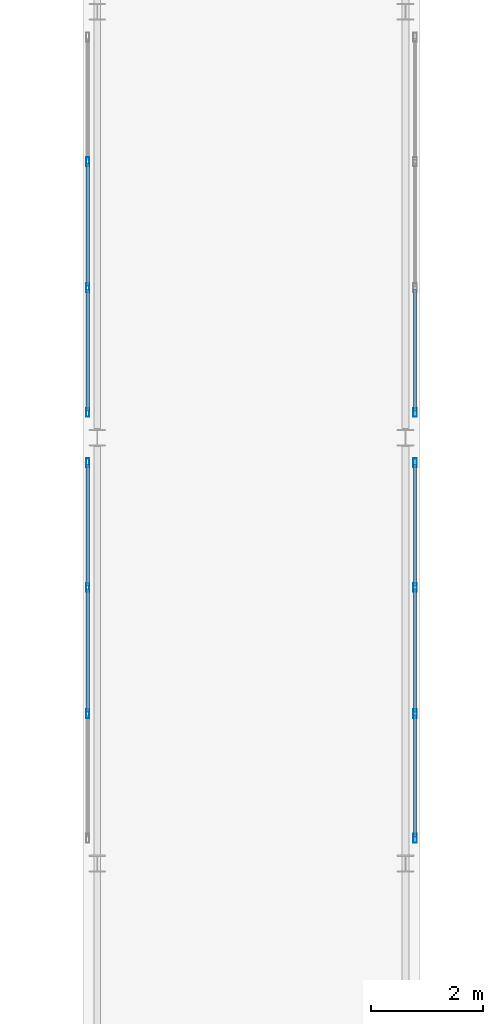
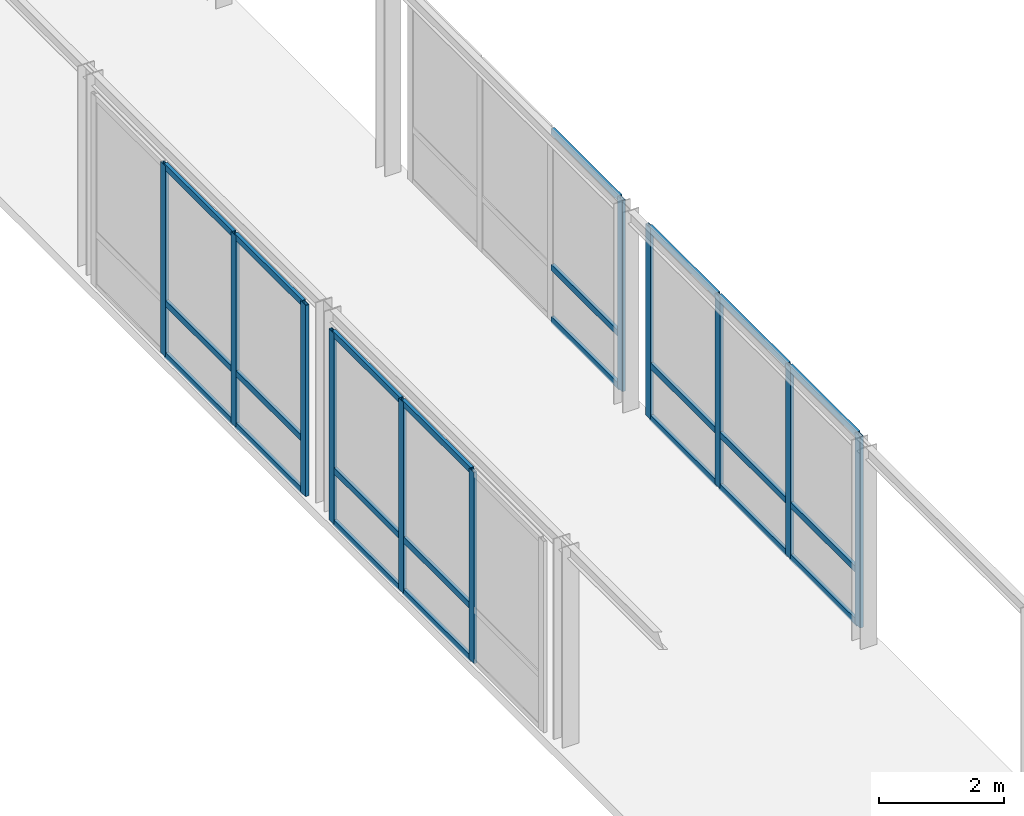
# One storey, part 127 of 189: 35 members, 4 elements without a shape of their own.
"""IFC4 building model written with IfcOpenShell, lengths in metres."""

from ifc_helpers import new_model, si_unit, direction, frame, origin, origin_2d, place, context, subcontext, project, spatial, hollow_rectangle, extrude, material, layer, layer_set, material_profile, profile_set, type_object, element, aggregate, save


model = new_model("IFC4")

# Units and contexts
model_context = context("Model", 3, precision=1e-05, world=origin(), true_north=direction((0.0, 1.0)))
body_context = subcontext(model_context, "Body", "Model", "MODEL_VIEW")
ifc_project = project(units=[si_unit("LENGTHUNIT", "METRE"), si_unit("AREAUNIT", "SQUARE_METRE"), si_unit("VOLUMEUNIT", "CUBIC_METRE"), si_unit("PLANEANGLEUNIT", "RADIAN"), si_unit("MASSUNIT", "GRAM", prefix="KILO")], contexts=[model_context])

# Site, building, storey
site_placement = place(None, origin())
site = spatial("IfcSite", under=ifc_project, at=site_placement, CompositionType="ELEMENT")
building_placement = place(site_placement, origin())
building = spatial("IfcBuilding", under=site, at=building_placement, Name="Montecoro Central Library", CompositionType="ELEMENT")
storey_placement = place(building_placement, frame((0.0, 0.0, 9.179931640625)))
storey = spatial("IfcBuildingStorey", under=building, at=storey_placement, Name="L02", CompositionType="ELEMENT", Elevation=9.179931640625)

# Curtain wall, members
ifc_material_1 = material(Name="Bronze-anodised aluminium and low-E glazing", Category="aluminium")
ifc_layer_1 = layer(ifc_material_1, 0.159912109375)
ifc_layer_set_1 = layer_set([ifc_layer_1], Name="Bronze-anodised aluminium and low-E glazing")
curtain_wall_type_1 = type_object("IfcCurtainWallType", Name="CWT-085", PredefinedType="NOTDEFINED", material=ifc_layer_set_1)
curtain_wall_1_placement = place(storey_placement, origin())
curtain_wall_1 = element("IfcCurtainWall", 1, at=curtain_wall_1_placement, inside=storey, type_object=curtain_wall_type_1, Name="BR-E-L02-CW-W1", PredefinedType="NOTDEFINED")
ifc_material_2 = material(Name="Bronze-anodised aluminium", Category="aluminium")
ifc_material_profile_1 = material_profile(ifc_material_2, hollow_rectangle(XDim=0.06005859375, YDim=0.159912109375, WallThickness=0.00390625, at=origin_2d()), Name="CWM 160x60x4.0")
ifc_profile_set_1 = profile_set([ifc_material_profile_1], Name="Bronze-anodised aluminium")
member_type_1 = type_object("IfcMemberType", Name="CWM-BRZ-60", PredefinedType="MULLION", material=ifc_profile_set_1)
member_1_placement = place(storey_placement, frame((154.080078125, 53.2734375, 0.0), z_axis=(0.0, 0.0, 1.0), x_axis=(-1.0, 0.0, 0.0)))
member_1 = element("IfcMember", 2, at=member_1_placement, type_object=member_type_1, Name="CW-085 mullion 2", PredefinedType="MULLION", context=body_context, shape_type="SweptSolid", body=[
    extrude(hollow_rectangle(XDim=0.06005859375, YDim=0.159912109375, WallThickness=0.00390625, at=origin_2d()), origin(), (0.0, 0.0, 1.0), 3.72998046875),
])
member_2_placement = place(storey_placement, frame((154.080078125, 55.526611328125, 0.0), z_axis=(0.0, 0.0, 1.0), x_axis=(-1.0, 0.0, 0.0)))
member_2 = element("IfcMember", 3, at=member_2_placement, type_object=member_type_1, Name="CW-085 mullion 3", PredefinedType="MULLION", context=body_context, shape_type="SweptSolid", body=[
    extrude(hollow_rectangle(XDim=0.06005859375, YDim=0.159912109375, WallThickness=0.00390625, at=origin_2d()), origin(), (0.0, 0.0, 1.0), 3.72998046875),
])
member_3_placement = place(storey_placement, frame((154.080078125, 57.75, 0.0), z_axis=(0.0, 0.0, 1.0), x_axis=(-1.0, 0.0, 0.0)))
member_3 = element("IfcMember", 4, at=member_3_placement, type_object=member_type_1, Name="CW-085 mullion 4", PredefinedType="MULLION", context=body_context, shape_type="SweptSolid", body=[
    extrude(hollow_rectangle(XDim=0.06005859375, YDim=0.159912109375, WallThickness=0.00390625, at=origin_2d()), origin(), (0.0, 0.0, 1.0), 3.72998046875),
])

ifc_layer_2 = layer(ifc_material_1, 0.159912109375)
ifc_layer_set_2 = layer_set([ifc_layer_2], Name="Bronze-anodised aluminium and low-E glazing")
curtain_wall_type_2 = type_object("IfcCurtainWallType", Name="CWT-086", PredefinedType="NOTDEFINED", material=ifc_layer_set_2)
curtain_wall_2_placement = place(storey_placement, origin())
curtain_wall_2 = element("IfcCurtainWall", 5, at=curtain_wall_2_placement, inside=storey, type_object=curtain_wall_type_2, Name="BR-E-L02-CW-W2", PredefinedType="NOTDEFINED")
member_4_placement = place(storey_placement, frame((154.080078125, 58.64990234375, 0.0), z_axis=(0.0, 0.0, 1.0), x_axis=(-1.0, 0.0, 0.0)))
member_4 = element("IfcMember", 6, at=member_4_placement, type_object=member_type_1, Name="CW-086 mullion 1", PredefinedType="MULLION", context=body_context, shape_type="SweptSolid", body=[
    extrude(hollow_rectangle(XDim=0.06005859375, YDim=0.159912109375, WallThickness=0.00390625, at=origin_2d()), origin(), (0.0, 0.0, 1.0), 3.72998046875),
])
member_5_placement = place(storey_placement, frame((154.080078125, 60.873291015625, 0.0), z_axis=(0.0, 0.0, 1.0), x_axis=(-1.0, 0.0, 0.0)))
member_5 = element("IfcMember", 7, at=member_5_placement, type_object=member_type_1, Name="CW-086 mullion 2", PredefinedType="MULLION", context=body_context, shape_type="SweptSolid", body=[
    extrude(hollow_rectangle(XDim=0.06005859375, YDim=0.159912109375, WallThickness=0.00390625, at=origin_2d()), origin(), (0.0, 0.0, 1.0), 3.72998046875),
])
member_6_placement = place(storey_placement, frame((154.080078125, 63.126708984375, 0.0), z_axis=(0.0, 0.0, 1.0), x_axis=(-1.0, 0.0, 0.0)))
member_6 = element("IfcMember", 8, at=member_6_placement, type_object=member_type_1, Name="CW-086 mullion 3", PredefinedType="MULLION", context=body_context, shape_type="SweptSolid", body=[
    extrude(hollow_rectangle(XDim=0.06005859375, YDim=0.159912109375, WallThickness=0.00390625, at=origin_2d()), origin(), (0.0, 0.0, 1.0), 3.72998046875),
])

curtain_wall_3_placement = place(storey_placement, origin())
curtain_wall_3 = element("IfcCurtainWall", 9, at=curtain_wall_3_placement, inside=storey, type_object=curtain_wall_type_1, Name="BR-E-L02-CW-E1", PredefinedType="NOTDEFINED")
member_7_placement = place(storey_placement, frame((159.919921875, 51.050048828125, 0.0), z_axis=(0.0, 0.0, 1.0), x_axis=(-1.0, 0.0, 0.0)))
member_7 = element("IfcMember", 10, at=member_7_placement, type_object=member_type_1, Name="CW-085 mullion 1", PredefinedType="MULLION", context=body_context, shape_type="SweptSolid", body=[
    extrude(hollow_rectangle(XDim=0.06005859375, YDim=0.159912109375, WallThickness=0.00390625, at=origin_2d()), origin(), (0.0, 0.0, 1.0), 3.72998046875),
])
member_8_placement = place(storey_placement, frame((159.919921875, 53.2734375, 0.0), z_axis=(0.0, 0.0, 1.0), x_axis=(-1.0, 0.0, 0.0)))
member_8 = element("IfcMember", 11, at=member_8_placement, type_object=member_type_1, Name="CW-085 mullion 2", PredefinedType="MULLION", context=body_context, shape_type="SweptSolid", body=[
    extrude(hollow_rectangle(XDim=0.06005859375, YDim=0.159912109375, WallThickness=0.00390625, at=origin_2d()), origin(), (0.0, 0.0, 1.0), 3.72998046875),
])
member_9_placement = place(storey_placement, frame((159.919921875, 55.526611328125, 0.0), z_axis=(0.0, 0.0, 1.0), x_axis=(-1.0, 0.0, 0.0)))
member_9 = element("IfcMember", 12, at=member_9_placement, type_object=member_type_1, Name="CW-085 mullion 3", PredefinedType="MULLION", context=body_context, shape_type="SweptSolid", body=[
    extrude(hollow_rectangle(XDim=0.06005859375, YDim=0.159912109375, WallThickness=0.00390625, at=origin_2d()), origin(), (0.0, 0.0, 1.0), 3.72998046875),
])
member_10_placement = place(storey_placement, frame((159.919921875, 57.75, 0.0), z_axis=(0.0, 0.0, 1.0), x_axis=(-1.0, 0.0, 0.0)))
member_10 = element("IfcMember", 13, at=member_10_placement, type_object=member_type_1, Name="CW-085 mullion 4", PredefinedType="MULLION", context=body_context, shape_type="SweptSolid", body=[
    extrude(hollow_rectangle(XDim=0.06005859375, YDim=0.159912109375, WallThickness=0.00390625, at=origin_2d()), origin(), (0.0, 0.0, 1.0), 3.72998046875),
])

# Curtain wall, member
curtain_wall_4_placement = place(storey_placement, origin())
curtain_wall_4 = element("IfcCurtainWall", 14, at=curtain_wall_4_placement, inside=storey, type_object=curtain_wall_type_2, Name="BR-E-L02-CW-E2", PredefinedType="NOTDEFINED")
member_11_placement = place(storey_placement, frame((159.919921875, 58.64990234375, 0.0), z_axis=(0.0, 0.0, 1.0), x_axis=(-1.0, 0.0, 0.0)))
member_11 = element("IfcMember", 15, at=member_11_placement, type_object=member_type_1, Name="CW-086 mullion 1", PredefinedType="MULLION", context=body_context, shape_type="SweptSolid", body=[
    extrude(hollow_rectangle(XDim=0.06005859375, YDim=0.159912109375, WallThickness=0.00390625, at=origin_2d()), origin(), (0.0, 0.0, 1.0), 3.72998046875),
])

# Member
ifc_material_profile_2 = material_profile(ifc_material_2, hollow_rectangle(XDim=0.06005859375, YDim=0.1201171875, WallThickness=0.00390625, at=origin_2d()), Name="CWT 120x60x4.0")
ifc_profile_set_2 = profile_set([ifc_material_profile_2], Name="Bronze-anodised aluminium")
member_type_2 = type_object("IfcMemberType", Name="CWT-BRZ-60", PredefinedType="USERDEFINED", material=ifc_profile_set_2)
member_12_placement = place(storey_placement, frame((154.080078125, 53.30322265625, 0.030029296875), z_axis=(0.0, 1.0, 0.0), x_axis=(-1.0, 0.0, 0.0)))
member_12 = element("IfcMember", 16, at=member_12_placement, type_object=member_type_2, Name="CW-085 transom 2.1", ObjectType="TRANSOM", PredefinedType="USERDEFINED", context=body_context, shape_type="SweptSolid", body=[
    extrude(hollow_rectangle(XDim=0.06005859375, YDim=0.1201171875, WallThickness=0.00390625, at=origin_2d()), origin(), (0.0, 0.0, 1.0), 2.193359375),
])

member_13_placement = place(storey_placement, frame((154.080078125, 53.30322265625, 1.050048828125), z_axis=(0.0, 1.0, 0.0), x_axis=(-1.0, 0.0, 0.0)))
member_13 = element("IfcMember", 17, at=member_13_placement, type_object=member_type_2, Name="CW-085 transom 2.2", ObjectType="TRANSOM", PredefinedType="USERDEFINED", context=body_context, shape_type="SweptSolid", body=[
    extrude(hollow_rectangle(XDim=0.06005859375, YDim=0.1201171875, WallThickness=0.00390625, at=origin_2d()), origin(), (0.0, 0.0, 1.0), 2.193359375),
])

member_14_placement = place(storey_placement, frame((154.080078125, 53.30322265625, 3.699951171875), z_axis=(0.0, 1.0, 0.0), x_axis=(-1.0, 0.0, 0.0)))
member_14 = element("IfcMember", 18, at=member_14_placement, type_object=member_type_2, Name="CW-085 transom 2.3", ObjectType="TRANSOM", PredefinedType="USERDEFINED", context=body_context, shape_type="SweptSolid", body=[
    extrude(hollow_rectangle(XDim=0.06005859375, YDim=0.1201171875, WallThickness=0.00390625, at=origin_2d()), origin(), (0.0, 0.0, 1.0), 2.193359375),
])

member_15_placement = place(storey_placement, frame((154.080078125, 55.556640625, 0.030029296875), z_axis=(0.0, 1.0, 0.0), x_axis=(-1.0, 0.0, 0.0)))
member_15 = element("IfcMember", 19, at=member_15_placement, type_object=member_type_2, Name="CW-085 transom 3.1", ObjectType="TRANSOM", PredefinedType="USERDEFINED", context=body_context, shape_type="SweptSolid", body=[
    extrude(hollow_rectangle(XDim=0.06005859375, YDim=0.1201171875, WallThickness=0.00390625, at=origin_2d()), origin(), (0.0, 0.0, 1.0), 2.163330078125),
])

member_16_placement = place(storey_placement, frame((154.080078125, 55.556640625, 1.050048828125), z_axis=(0.0, 1.0, 0.0), x_axis=(-1.0, 0.0, 0.0)))
member_16 = element("IfcMember", 20, at=member_16_placement, type_object=member_type_2, Name="CW-085 transom 3.2", ObjectType="TRANSOM", PredefinedType="USERDEFINED", context=body_context, shape_type="SweptSolid", body=[
    extrude(hollow_rectangle(XDim=0.06005859375, YDim=0.1201171875, WallThickness=0.00390625, at=origin_2d()), origin(), (0.0, 0.0, 1.0), 2.163330078125),
])

member_17_placement = place(storey_placement, frame((154.080078125, 55.556640625, 3.699951171875), z_axis=(0.0, 1.0, 0.0), x_axis=(-1.0, 0.0, 0.0)))
member_17 = element("IfcMember", 21, at=member_17_placement, type_object=member_type_2, Name="CW-085 transom 3.3", ObjectType="TRANSOM", PredefinedType="USERDEFINED", context=body_context, shape_type="SweptSolid", body=[
    extrude(hollow_rectangle(XDim=0.06005859375, YDim=0.1201171875, WallThickness=0.00390625, at=origin_2d()), origin(), (0.0, 0.0, 1.0), 2.163330078125),
])

aggregate(curtain_wall_1, [member_1, member_2, member_3, member_12, member_13, member_14, member_15, member_16, member_17])

member_18_placement = place(storey_placement, frame((154.080078125, 58.679931640625, 0.030029296875), z_axis=(0.0, 1.0, 0.0), x_axis=(-1.0, 0.0, 0.0)))
member_18 = element("IfcMember", 22, at=member_18_placement, type_object=member_type_2, Name="CW-086 transom 1.1", ObjectType="TRANSOM", PredefinedType="USERDEFINED", context=body_context, shape_type="SweptSolid", body=[
    extrude(hollow_rectangle(XDim=0.06005859375, YDim=0.1201171875, WallThickness=0.00390625, at=origin_2d()), origin(), (0.0, 0.0, 1.0), 2.163330078125),
])

member_19_placement = place(storey_placement, frame((154.080078125, 58.679931640625, 1.050048828125), z_axis=(0.0, 1.0, 0.0), x_axis=(-1.0, 0.0, 0.0)))
member_19 = element("IfcMember", 23, at=member_19_placement, type_object=member_type_2, Name="CW-086 transom 1.2", ObjectType="TRANSOM", PredefinedType="USERDEFINED", context=body_context, shape_type="SweptSolid", body=[
    extrude(hollow_rectangle(XDim=0.06005859375, YDim=0.1201171875, WallThickness=0.00390625, at=origin_2d()), origin(), (0.0, 0.0, 1.0), 2.163330078125),
])

member_20_placement = place(storey_placement, frame((154.080078125, 58.679931640625, 3.699951171875), z_axis=(0.0, 1.0, 0.0), x_axis=(-1.0, 0.0, 0.0)))
member_20 = element("IfcMember", 24, at=member_20_placement, type_object=member_type_2, Name="CW-086 transom 1.3", ObjectType="TRANSOM", PredefinedType="USERDEFINED", context=body_context, shape_type="SweptSolid", body=[
    extrude(hollow_rectangle(XDim=0.06005859375, YDim=0.1201171875, WallThickness=0.00390625, at=origin_2d()), origin(), (0.0, 0.0, 1.0), 2.163330078125),
])

member_21_placement = place(storey_placement, frame((154.080078125, 60.9033203125, 0.030029296875), z_axis=(0.0, 1.0, 0.0), x_axis=(-1.0, 0.0, 0.0)))
member_21 = element("IfcMember", 25, at=member_21_placement, type_object=member_type_2, Name="CW-086 transom 2.1", ObjectType="TRANSOM", PredefinedType="USERDEFINED", context=body_context, shape_type="SweptSolid", body=[
    extrude(hollow_rectangle(XDim=0.06005859375, YDim=0.1201171875, WallThickness=0.00390625, at=origin_2d()), origin(), (0.0, 0.0, 1.0), 2.193359375),
])

member_22_placement = place(storey_placement, frame((154.080078125, 60.9033203125, 1.050048828125), z_axis=(0.0, 1.0, 0.0), x_axis=(-1.0, 0.0, 0.0)))
member_22 = element("IfcMember", 26, at=member_22_placement, type_object=member_type_2, Name="CW-086 transom 2.2", ObjectType="TRANSOM", PredefinedType="USERDEFINED", context=body_context, shape_type="SweptSolid", body=[
    extrude(hollow_rectangle(XDim=0.06005859375, YDim=0.1201171875, WallThickness=0.00390625, at=origin_2d()), origin(), (0.0, 0.0, 1.0), 2.193359375),
])

member_23_placement = place(storey_placement, frame((154.080078125, 60.9033203125, 3.699951171875), z_axis=(0.0, 1.0, 0.0), x_axis=(-1.0, 0.0, 0.0)))
member_23 = element("IfcMember", 27, at=member_23_placement, type_object=member_type_2, Name="CW-086 transom 2.3", ObjectType="TRANSOM", PredefinedType="USERDEFINED", context=body_context, shape_type="SweptSolid", body=[
    extrude(hollow_rectangle(XDim=0.06005859375, YDim=0.1201171875, WallThickness=0.00390625, at=origin_2d()), origin(), (0.0, 0.0, 1.0), 2.193359375),
])

aggregate(curtain_wall_2, [member_4, member_5, member_6, member_18, member_19, member_20, member_21, member_22, member_23])

member_24_placement = place(storey_placement, frame((159.919921875, 51.080078125, 0.030029296875), z_axis=(0.0, 1.0, 0.0), x_axis=(-1.0, 0.0, 0.0)))
member_24 = element("IfcMember", 28, at=member_24_placement, type_object=member_type_2, Name="CW-085 transom 1.1", ObjectType="TRANSOM", PredefinedType="USERDEFINED", context=body_context, shape_type="SweptSolid", body=[
    extrude(hollow_rectangle(XDim=0.06005859375, YDim=0.1201171875, WallThickness=0.00390625, at=origin_2d()), origin(), (0.0, 0.0, 1.0), 2.163330078125),
])

member_25_placement = place(storey_placement, frame((159.919921875, 51.080078125, 1.050048828125), z_axis=(0.0, 1.0, 0.0), x_axis=(-1.0, 0.0, 0.0)))
member_25 = element("IfcMember", 29, at=member_25_placement, type_object=member_type_2, Name="CW-085 transom 1.2", ObjectType="TRANSOM", PredefinedType="USERDEFINED", context=body_context, shape_type="SweptSolid", body=[
    extrude(hollow_rectangle(XDim=0.06005859375, YDim=0.1201171875, WallThickness=0.00390625, at=origin_2d()), origin(), (0.0, 0.0, 1.0), 2.163330078125),
])

member_26_placement = place(storey_placement, frame((159.919921875, 51.080078125, 3.699951171875), z_axis=(0.0, 1.0, 0.0), x_axis=(-1.0, 0.0, 0.0)))
member_26 = element("IfcMember", 30, at=member_26_placement, type_object=member_type_2, Name="CW-085 transom 1.3", ObjectType="TRANSOM", PredefinedType="USERDEFINED", context=body_context, shape_type="SweptSolid", body=[
    extrude(hollow_rectangle(XDim=0.06005859375, YDim=0.1201171875, WallThickness=0.00390625, at=origin_2d()), origin(), (0.0, 0.0, 1.0), 2.163330078125),
])

member_27_placement = place(storey_placement, frame((159.919921875, 53.30322265625, 0.030029296875), z_axis=(0.0, 1.0, 0.0), x_axis=(-1.0, 0.0, 0.0)))
member_27 = element("IfcMember", 31, at=member_27_placement, type_object=member_type_2, Name="CW-085 transom 2.1", ObjectType="TRANSOM", PredefinedType="USERDEFINED", context=body_context, shape_type="SweptSolid", body=[
    extrude(hollow_rectangle(XDim=0.06005859375, YDim=0.1201171875, WallThickness=0.00390625, at=origin_2d()), origin(), (0.0, 0.0, 1.0), 2.193359375),
])

member_28_placement = place(storey_placement, frame((159.919921875, 53.30322265625, 1.050048828125), z_axis=(0.0, 1.0, 0.0), x_axis=(-1.0, 0.0, 0.0)))
member_28 = element("IfcMember", 32, at=member_28_placement, type_object=member_type_2, Name="CW-085 transom 2.2", ObjectType="TRANSOM", PredefinedType="USERDEFINED", context=body_context, shape_type="SweptSolid", body=[
    extrude(hollow_rectangle(XDim=0.06005859375, YDim=0.1201171875, WallThickness=0.00390625, at=origin_2d()), origin(), (0.0, 0.0, 1.0), 2.193359375),
])

member_29_placement = place(storey_placement, frame((159.919921875, 53.30322265625, 3.699951171875), z_axis=(0.0, 1.0, 0.0), x_axis=(-1.0, 0.0, 0.0)))
member_29 = element("IfcMember", 33, at=member_29_placement, type_object=member_type_2, Name="CW-085 transom 2.3", ObjectType="TRANSOM", PredefinedType="USERDEFINED", context=body_context, shape_type="SweptSolid", body=[
    extrude(hollow_rectangle(XDim=0.06005859375, YDim=0.1201171875, WallThickness=0.00390625, at=origin_2d()), origin(), (0.0, 0.0, 1.0), 2.193359375),
])

member_30_placement = place(storey_placement, frame((159.919921875, 55.556640625, 0.030029296875), z_axis=(0.0, 1.0, 0.0), x_axis=(-1.0, 0.0, 0.0)))
member_30 = element("IfcMember", 34, at=member_30_placement, type_object=member_type_2, Name="CW-085 transom 3.1", ObjectType="TRANSOM", PredefinedType="USERDEFINED", context=body_context, shape_type="SweptSolid", body=[
    extrude(hollow_rectangle(XDim=0.06005859375, YDim=0.1201171875, WallThickness=0.00390625, at=origin_2d()), origin(), (0.0, 0.0, 1.0), 2.163330078125),
])

member_31_placement = place(storey_placement, frame((159.919921875, 55.556640625, 1.050048828125), z_axis=(0.0, 1.0, 0.0), x_axis=(-1.0, 0.0, 0.0)))
member_31 = element("IfcMember", 35, at=member_31_placement, type_object=member_type_2, Name="CW-085 transom 3.2", ObjectType="TRANSOM", PredefinedType="USERDEFINED", context=body_context, shape_type="SweptSolid", body=[
    extrude(hollow_rectangle(XDim=0.06005859375, YDim=0.1201171875, WallThickness=0.00390625, at=origin_2d()), origin(), (0.0, 0.0, 1.0), 2.163330078125),
])

member_32_placement = place(storey_placement, frame((159.919921875, 55.556640625, 3.699951171875), z_axis=(0.0, 1.0, 0.0), x_axis=(-1.0, 0.0, 0.0)))
member_32 = element("IfcMember", 36, at=member_32_placement, type_object=member_type_2, Name="CW-085 transom 3.3", ObjectType="TRANSOM", PredefinedType="USERDEFINED", context=body_context, shape_type="SweptSolid", body=[
    extrude(hollow_rectangle(XDim=0.06005859375, YDim=0.1201171875, WallThickness=0.00390625, at=origin_2d()), origin(), (0.0, 0.0, 1.0), 2.163330078125),
])

aggregate(curtain_wall_3, [member_7, member_8, member_9, member_10, member_24, member_25, member_26, member_27, member_28, member_29, member_30, member_31, member_32])

member_33_placement = place(storey_placement, frame((159.919921875, 58.679931640625, 0.030029296875), z_axis=(0.0, 1.0, 0.0), x_axis=(-1.0, 0.0, 0.0)))
member_33 = element("IfcMember", 37, at=member_33_placement, type_object=member_type_2, Name="CW-086 transom 1.1", ObjectType="TRANSOM", PredefinedType="USERDEFINED", context=body_context, shape_type="SweptSolid", body=[
    extrude(hollow_rectangle(XDim=0.06005859375, YDim=0.1201171875, WallThickness=0.00390625, at=origin_2d()), origin(), (0.0, 0.0, 1.0), 2.163330078125),
])

member_34_placement = place(storey_placement, frame((159.919921875, 58.679931640625, 1.050048828125), z_axis=(0.0, 1.0, 0.0), x_axis=(-1.0, 0.0, 0.0)))
member_34 = element("IfcMember", 38, at=member_34_placement, type_object=member_type_2, Name="CW-086 transom 1.2", ObjectType="TRANSOM", PredefinedType="USERDEFINED", context=body_context, shape_type="SweptSolid", body=[
    extrude(hollow_rectangle(XDim=0.06005859375, YDim=0.1201171875, WallThickness=0.00390625, at=origin_2d()), origin(), (0.0, 0.0, 1.0), 2.163330078125),
])

member_35_placement = place(storey_placement, frame((159.919921875, 58.679931640625, 3.699951171875), z_axis=(0.0, 1.0, 0.0), x_axis=(-1.0, 0.0, 0.0)))
member_35 = element("IfcMember", 39, at=member_35_placement, type_object=member_type_2, Name="CW-086 transom 1.3", ObjectType="TRANSOM", PredefinedType="USERDEFINED", context=body_context, shape_type="SweptSolid", body=[
    extrude(hollow_rectangle(XDim=0.06005859375, YDim=0.1201171875, WallThickness=0.00390625, at=origin_2d()), origin(), (0.0, 0.0, 1.0), 2.163330078125),
])

aggregate(curtain_wall_4, [member_11, member_33, member_34, member_35])

save(model, "model.ifc")
